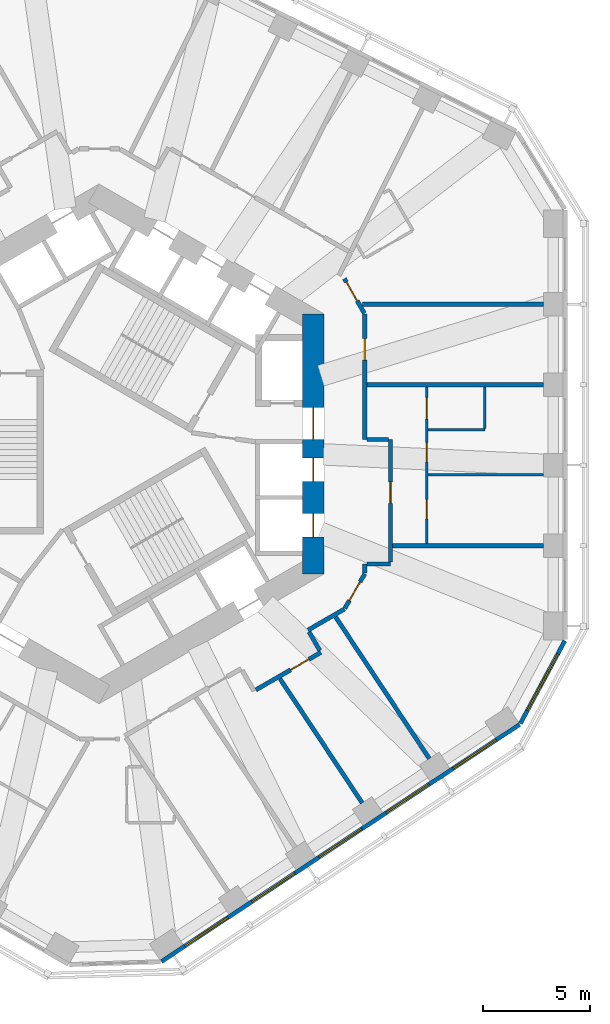
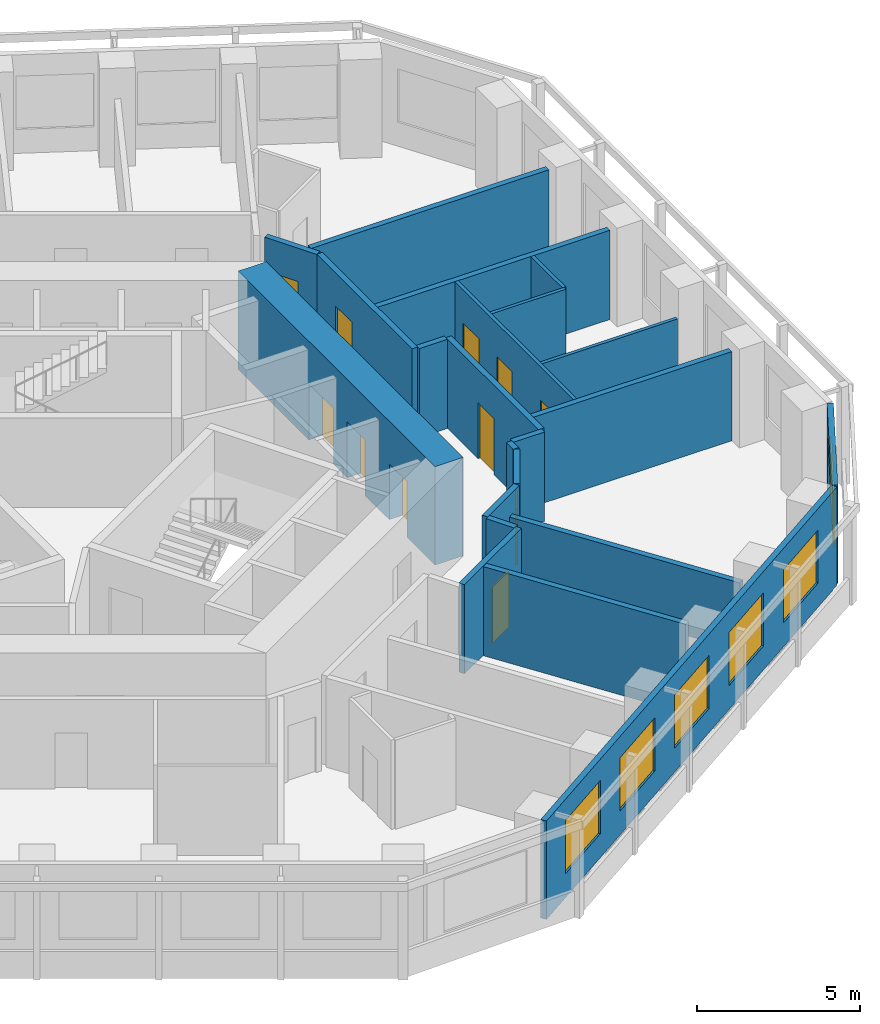
# One storey, part 6 of 11: 22 walls, 11 doors, 6 windows, 17 openings.
"""IFC4 building model written with IfcOpenShell, lengths in metres."""

import ifcopenshell
import ifcopenshell.guid

model = None  # the IFC model being written
_history = None  # IfcOwnerHistory: only IFC2X3 demands one
_inside = {}  # id of a spatial element -> (the spatial element, [elements in it])
_under = {}  # id of a project, library or spatial element -> (it, [spatial elements below it])
_declared = {}  # id of a project -> (the project, [libraries it declares])
_typed = {}  # id of a type object -> (the type object, [elements of that type])
_made_of = {}  # id of a material, layer set ... -> (it, [elements and type objects made of it])


def new_model(schema):
    """Start an empty IFC model of exactly this schema.

    Asked for "IFC4X3", IfcOpenShell would pick the latest addendum, in which some entities
    have other attributes; the version numbers below select the first issue.
    IFC2X3 requires an IfcOwnerHistory on every rooted entity: one is made here for all.
    """
    global model, _history
    if schema == "IFC4X3":
        model = ifcopenshell.file(schema_version=(4, 3, 0, 0))
    else:
        model = ifcopenshell.file(schema=schema)
    _inside.clear()
    _under.clear()
    _declared.clear()
    _typed.clear()
    _made_of.clear()
    _history = None
    if model.schema == "IFC2X3":
        org = make("IfcOrganization", Name="unknown")
        user = make(
            "IfcPersonAndOrganization",
            ThePerson=make("IfcPerson", FamilyName="unknown"),
            TheOrganization=org,
        )
        app = make(
            "IfcApplication",
            ApplicationDeveloper=org,
            Version="unknown",
            ApplicationFullName="unknown",
            ApplicationIdentifier="unknown",
        )
        _history = make(
            "IfcOwnerHistory",
            OwningUser=user,
            OwningApplication=app,
            ChangeAction="ADDED",
            CreationDate=0,
        )
    return model


def make(cls, **values):
    """One entity of the class cls with the attributes given. An attribute that is None is left unset."""
    return model.create_entity(
        cls, **{name: value for name, value in values.items() if value is not None}
    )


def rooted(cls, **values):
    """An entity with a GlobalId (a new one), such as an element, a storey or a relation."""
    return make(cls, GlobalId=ifcopenshell.guid.new(), OwnerHistory=_history, **values)


def si_unit(unit_type, name, prefix=None):
    """IfcSIUnit, for example si_unit("LENGTHUNIT", "METRE", prefix="MILLI")."""
    return make("IfcSIUnit", UnitType=unit_type, Prefix=prefix, Name=name)


def assignment(units):
    """IfcUnitAssignment: the units of a project."""
    return None if units is None else make("IfcUnitAssignment", Units=units)


def point(xyz):
    """IfcCartesianPoint."""
    return None if xyz is None else make("IfcCartesianPoint", Coordinates=xyz)


def direction(xyz):
    """IfcDirection."""
    return None if xyz is None else make("IfcDirection", DirectionRatios=xyz)


def frame(location, z_axis=None, x_axis=None):
    """IfcAxis2Placement3D, a coordinate frame: its origin and axes. An axis left out is left unset."""
    return make(
        "IfcAxis2Placement3D",
        Location=point(location),
        Axis=direction(z_axis),
        RefDirection=direction(x_axis),
    )


def frame_2d(location, x_axis=None):
    """IfcAxis2Placement2D, a coordinate frame in the plane: its origin and x axis."""
    return make(
        "IfcAxis2Placement2D", Location=point(location), RefDirection=direction(x_axis)
    )


def origin():
    """The frame at (0, 0, 0) with its axes left unset."""
    return frame((0.0, 0.0, 0.0))


def place(relative_to, where):
    """IfcLocalPlacement: puts the frame where relative to a parent placement (None: the world)."""
    return make(
        "IfcLocalPlacement", PlacementRelTo=relative_to, RelativePlacement=where
    )


def context(
    kind, dimensions, precision=None, world=None, true_north=None, identifier=None
):
    """IfcGeometricRepresentationContext, for example the 3D "Model" context."""
    return make(
        "IfcGeometricRepresentationContext",
        ContextIdentifier=identifier,
        ContextType=kind,
        CoordinateSpaceDimension=dimensions,
        Precision=precision,
        WorldCoordinateSystem=world,
        TrueNorth=true_north,
    )


def subcontext(parent, identifier, kind, view, scale=None):
    """IfcGeometricRepresentationSubContext, for example "Body" below "Model"."""
    return make(
        "IfcGeometricRepresentationSubContext",
        ContextIdentifier=identifier,
        ContextType=kind,
        ParentContext=parent,
        TargetScale=scale,
        TargetView=view,
    )


def project(units=None, contexts=None):
    """IfcProject with its units and contexts."""
    return rooted(
        "IfcProject",
        Name="project",
        RepresentationContexts=contexts,
        UnitsInContext=assignment(units),
    )


def spatial(cls, under=None, at=None, **own):
    """A site, building, storey or space (cls), placed at a placement, below another one or the project."""
    s = rooted(cls, ObjectPlacement=at, **own)
    if under is not None:
        _under.setdefault(under.id(), (under, []))[1].append(s)
    return s


def profile(cls, at=None, kind="AREA", **sizes):
    """A parametric profile (cls). Its sizes go by their IFC names, for example OverallWidth=200.0."""
    return make(cls, ProfileType=kind, Position=at, **sizes)


def rectangle(**sizes):
    """IfcRectangleProfileDef."""
    return profile("IfcRectangleProfileDef", **sizes)


def extrude(swept, where, along, depth):
    """IfcExtrudedAreaSolid: the profile swept, set in the frame where, extruded along a direction by depth."""
    return make(
        "IfcExtrudedAreaSolid",
        SweptArea=swept,
        Position=where,
        ExtrudedDirection=direction(along),
        Depth=depth,
    )


def shape(context_of_items, identifier, shape_type, items):
    """IfcShapeRepresentation: the items that make up one representation, for example the "Body"."""
    return make(
        "IfcShapeRepresentation",
        ContextOfItems=context_of_items,
        RepresentationIdentifier=identifier,
        RepresentationType=shape_type,
        Items=items,
    )


def material(Name=None, Category=None):
    """IfcMaterial."""
    return make("IfcMaterial", Name=Name, Category=Category)


def layer(
    of_material, thickness, ventilated=None, Name=None, Category=None, Priority=None
):
    """IfcMaterialLayer: one layer of a wall or slab, of a material (None: an air gap)."""
    return make(
        "IfcMaterialLayer",
        Material=of_material,
        LayerThickness=thickness,
        IsVentilated=ventilated,
        Name=Name,
        Category=Category,
        Priority=Priority,
    )


def layer_set(layers, Name=None):
    """IfcMaterialLayerSet."""
    return make("IfcMaterialLayerSet", MaterialLayers=layers, LayerSetName=Name)


def made_of(thing, what):
    """Note that an element or type object is made of a material, layer set ...; save() writes the relation."""
    if what is not None:
        _made_of.setdefault(what.id(), (what, []))[1].append(thing)
    return thing


def type_object(cls, material=None, **own):
    """A type object (cls), such as IfcWallType, which elements share."""
    return made_of(rooted(cls, **own), material)


def element(
    cls,
    number,
    at=None,
    inside=None,
    cuts=None,
    type_object=None,
    material=None,
    context=None,
    identifier="Body",
    shape_type=None,
    held_by="IfcProductDefinitionShape",
    body=None,
    shapes=None,
    **own,
):
    """One element of the class cls, such as IfcWall. Its Tag is "e" and its number.

    at: its placement. inside: the storey or other place that contains it. cuts: it is an
    opening in that element (IfcRelVoidsElement). A single representation is given by context,
    identifier, shape_type and body (its items); several are given by shapes. held_by: the class
    of the entity that holds the representations. save() writes the other relations.
    """
    e = rooted(cls, Tag="e%d" % number, ObjectPlacement=at, **own)
    if body is not None:
        shapes = [shape(context, identifier, shape_type, body)]
    if shapes is not None:
        e.Representation = make(held_by, Representations=shapes)
    if inside is not None:
        _inside.setdefault(inside.id(), (inside, []))[1].append(e)
    if cuts is not None:
        rooted(
            "IfcRelVoidsElement", RelatingBuildingElement=cuts, RelatedOpeningElement=e
        )
    if type_object is not None:
        _typed.setdefault(type_object.id(), (type_object, []))[1].append(e)
    return made_of(e, material)


def fill(opening, filler):
    """IfcRelFillsElement: the door or window that sits in an opening."""
    return rooted(
        "IfcRelFillsElement",
        RelatingOpeningElement=opening,
        RelatedBuildingElement=filler,
    )


def aggregate(whole, parts):
    """IfcRelAggregates: a whole, such as a stair, and the parts it consists of."""
    return rooted("IfcRelAggregates", RelatingObject=whole, RelatedObjects=parts)


def save(model, path):
    """Write the relations noted so far, then the file.

    IfcRelAggregates (storeys below a building ...), IfcRelContainedInSpatialStructure (elements
    in a storey), IfcRelDefinesByType, IfcRelAssociatesMaterial and IfcRelDeclares: one each for
    every whole, place, type object, material and project.
    """
    for whole, parts in _under.values():
        aggregate(whole, parts)
    for where, things in _inside.values():
        rooted(
            "IfcRelContainedInSpatialStructure",
            RelatedElements=things,
            RelatingStructure=where,
        )
    for kind, things in _typed.values():
        rooted("IfcRelDefinesByType", RelatedObjects=things, RelatingType=kind)
    for what, things in _made_of.values():
        rooted("IfcRelAssociatesMaterial", RelatedObjects=things, RelatingMaterial=what)
    for by, libraries in _declared.values():
        rooted("IfcRelDeclares", RelatingContext=by, RelatedDefinitions=libraries)
    model.write(path)


model = new_model("IFC4")

# Units and contexts
model_context = context("Model", 3, precision=1e-05, world=origin(), true_north=direction((0.0, 1.0)))
body_context = subcontext(model_context, "Body", "Model", "MODEL_VIEW")
ifc_project = project(units=[si_unit("LENGTHUNIT", "METRE"), si_unit("AREAUNIT", "SQUARE_METRE"), si_unit("VOLUMEUNIT", "CUBIC_METRE"), si_unit("PLANEANGLEUNIT", "RADIAN"), si_unit("MASSUNIT", "GRAM", prefix="KILO")], contexts=[model_context])

# Site, building, storey
site_placement = place(None, origin())
site = spatial("IfcSite", under=ifc_project, at=site_placement, CompositionType="ELEMENT")
building_placement = place(site_placement, origin())
building = spatial("IfcBuilding", under=site, at=building_placement, Name="Vanh Sen Convention Tower", CompositionType="ELEMENT")
storey_placement = place(building_placement, frame((0.0, 0.0, 135.5)))
storey = spatial("IfcBuildingStorey", under=building, at=storey_placement, Name="L33", CompositionType="ELEMENT", Elevation=135.5)

# Wall, openings, doors
ifc_material_1 = material(Name="Moisture-resistant gypsum board on steel studs", Category="steel")
ifc_layer_1 = layer(ifc_material_1, 0.1201171875)
ifc_layer_set_1 = layer_set([ifc_layer_1], Name="Moisture-resistant gypsum board on steel studs")
wall_type_1 = type_object("IfcWallType", Name="Bathroom partition 120", PredefinedType="PARTITIONING", material=ifc_layer_set_1)
wall_1_placement = place(storey_placement, frame((15.301025390625, -4.64697265625, 0.0), z_axis=(0.0, 0.0, 1.0), x_axis=(0.0, 1.0, 0.0)))
wall_1 = element("IfcWall", 1, at=wall_1_placement, inside=storey, type_object=wall_type_1, Name="Bathroom partition 120", PredefinedType="PARTITIONING", context=body_context, shape_type="SweptSolid", body=[
    extrude(rectangle(XDim=7.308349609375, YDim=0.1201171875, at=frame_2d((3.654296875, 0.0))), origin(), (0.0, 0.0, 1.0), 3.35009765625),
])
opening_1_placement = place(wall_1_placement, frame((5.80810546875, 0.0, 0.0)))
opening_1 = element("IfcOpeningElement", 2, at=opening_1_placement, cuts=wall_1, Name="Opening D32102", PredefinedType="OPENING", context=body_context, shape_type="SweptSolid", body=[
    extrude(rectangle(XDim=1.0, YDim=2.10009765625, at=frame_2d((0.5, 1.050048828125))), frame((0.0, 0.070068359375, 0.0), z_axis=(0.0, -1.0, 0.0), x_axis=(1.0, 0.0, 0.0)), (0.0, 0.0, 1.0), 0.14013671875),
])
opening_2_placement = place(wall_1_placement, frame((1.14990234375, 0.0, 0.0)))
opening_2 = element("IfcOpeningElement", 3, at=opening_2_placement, cuts=wall_1, Name="Opening D32103", PredefinedType="OPENING", context=body_context, shape_type="SweptSolid", body=[
    extrude(rectangle(XDim=0.89990234375, YDim=2.10009765625, at=frame_2d((0.449951171875, 1.050048828125))), frame((0.0, 0.070068359375, 0.0), z_axis=(0.0, -1.0, 0.0), x_axis=(1.0, 0.0, 0.0)), (0.0, 0.0, 1.0), 0.14013671875),
])
opening_3_placement = place(wall_1_placement, frame((3.80419921875, 0.0, 0.0)))
opening_3 = element("IfcOpeningElement", 4, at=opening_3_placement, cuts=wall_1, Name="Opening D32104", PredefinedType="OPENING", context=body_context, shape_type="SweptSolid", body=[
    extrude(rectangle(XDim=0.89990234375, YDim=2.10009765625, at=frame_2d((0.449951171875, 1.050048828125))), frame((0.0, 0.070068359375, 0.0), z_axis=(0.0, -1.0, 0.0), x_axis=(1.0, 0.0, 0.0)), (0.0, 0.0, 1.0), 0.14013671875),
])
ifc_material_2 = material(Name="Laminate door in steel frame", Category="steel")
door_type_1 = type_object("IfcDoorType", Name="Accessible WC door 1000", OperationType="SINGLE_SWING_LEFT", PredefinedType="DOOR", material=ifc_material_2)
door_1_placement = place(opening_1_placement, origin())
door_1 = element("IfcDoor", 5, at=door_1_placement, inside=storey, type_object=door_type_1, Name="Accessible WC door D32102", OperationType="SINGLE_SWING_LEFT", OverallHeight=2.10009765625, OverallWidth=1.0, PredefinedType="DOOR", context=body_context, shape_type="SweptSolid", body=[
    extrude(rectangle(XDim=1.0, YDim=2.10009765625, at=frame_2d((0.5, 1.050048828125))), frame((0.0, 0.02490234375, 0.0), z_axis=(0.0, -1.0, 0.0), x_axis=(1.0, 0.0, 0.0)), (0.0, 0.0, 1.0), 0.050048828125),
])
fill(opening_1, door_1)
door_type_2 = type_object("IfcDoorType", Name="Room internal door 900", OperationType="SINGLE_SWING_LEFT", PredefinedType="DOOR", material=ifc_material_2)
door_2_placement = place(opening_2_placement, origin())
door_2 = element("IfcDoor", 6, at=door_2_placement, inside=storey, type_object=door_type_2, Name="Internal room door D32103", OperationType="SINGLE_SWING_LEFT", OverallHeight=2.10009765625, OverallWidth=0.89990234375, PredefinedType="DOOR", context=body_context, shape_type="SweptSolid", body=[
    extrude(rectangle(XDim=0.89990234375, YDim=2.10009765625, at=frame_2d((0.449951171875, 1.050048828125))), frame((0.0, 0.02490234375, 0.0), z_axis=(0.0, -1.0, 0.0), x_axis=(1.0, 0.0, 0.0)), (0.0, 0.0, 1.0), 0.050048828125),
])
fill(opening_2, door_2)
door_3_placement = place(opening_3_placement, origin())
door_3 = element("IfcDoor", 7, at=door_3_placement, inside=storey, type_object=door_type_2, Name="Internal room door D32104", OperationType="SINGLE_SWING_LEFT", OverallHeight=2.10009765625, OverallWidth=0.89990234375, PredefinedType="DOOR", context=body_context, shape_type="SweptSolid", body=[
    extrude(rectangle(XDim=0.89990234375, YDim=2.10009765625, at=frame_2d((0.449951171875, 1.050048828125))), frame((0.0, 0.02490234375, 0.0), z_axis=(0.0, -1.0, 0.0), x_axis=(1.0, 0.0, 0.0)), (0.0, 0.0, 1.0), 0.050048828125),
])
fill(opening_3, door_3)

# Walls
wall_2_placement = place(storey_placement, frame((15.361083984375, 0.661376953125, 0.0), z_axis=(0.0, 0.0, 1.0), x_axis=(1.0, 0.0, 0.0)))
element("IfcWall", 8, at=wall_2_placement, inside=storey, type_object=wall_type_1, Name="Bathroom partition 120", PredefinedType="PARTITIONING", context=body_context, shape_type="SweptSolid", body=[
    extrude(rectangle(XDim=2.639892578125, YDim=0.1201171875, at=frame_2d((1.31982421875, 0.0))), origin(), (0.0, 0.0, 1.0), 3.35009765625),
])
wall_3_placement = place(storey_placement, frame((18.0009765625, 0.72119140625, 0.0), z_axis=(0.0, 0.0, 1.0), x_axis=(0.0, 1.0, 0.0)))
element("IfcWall", 9, at=wall_3_placement, inside=storey, type_object=wall_type_1, Name="Bathroom partition 120", PredefinedType="PARTITIONING", context=body_context, shape_type="SweptSolid", body=[
    extrude(rectangle(XDim=1.940185546875, YDim=0.1201171875, at=frame_2d((0.97021484375, 0.0))), origin(), (0.0, 0.0, 1.0), 3.35009765625),
])
wall_4_placement = place(storey_placement, frame((20.75, -1.447021484375, 0.0), z_axis=(0.0, 0.0, 1.0), x_axis=(-1.0, 0.0, 0.0)))
element("IfcWall", 10, at=wall_4_placement, inside=storey, type_object=wall_type_1, Name="Bathroom partition 120", PredefinedType="PARTITIONING", context=body_context, shape_type="SweptSolid", body=[
    extrude(rectangle(XDim=5.388916015625, YDim=0.1201171875, at=frame_2d((2.6943359375, 0.0))), origin(), (0.0, 0.0, 1.0), 2.550048828125),
])

# Wall, openings, doors
ifc_material_3 = material(Name="Concrete C80/95", Category="concrete")
ifc_layer_2 = layer(ifc_material_3, 1.0)
ifc_layer_set_2 = layer_set([ifc_layer_2], Name="Concrete C80/95")
wall_type_2 = type_object("IfcWallType", Name="Core outer wall 1000 C80/95", PredefinedType="SHEAR", material=ifc_layer_set_2)
wall_5_placement = place(storey_placement, frame((10.0, -6.062255859375, 0.0), z_axis=(0.0, 0.0, 1.0), x_axis=(0.0, 1.0, 0.0)))
wall_5 = element("IfcWall", 11, at=wall_5_placement, inside=storey, type_object=wall_type_2, Name="Core wall face E L33", PredefinedType="SHEAR", context=body_context, shape_type="SweptSolid", body=[
    extrude(rectangle(XDim=12.12451171875, YDim=1.0, at=frame_2d((6.062255859375, 0.0))), origin(), (0.0, 0.0, 1.0), 3.699951171875),
])
opening_4_placement = place(wall_5_placement, frame((6.26220703125, 0.0, 0.0)))
opening_4 = element("IfcOpeningElement", 12, at=opening_4_placement, cuts=wall_5, Name="Opening D32001", PredefinedType="OPENING", context=body_context, shape_type="SweptSolid", body=[
    extrude(rectangle(XDim=1.5, YDim=2.10009765625, at=frame_2d((0.75, 1.050048828125))), frame((0.0, 0.510009765625, 0.0), z_axis=(0.0, -1.0, 0.0), x_axis=(1.0, 0.0, 0.0)), (0.0, 0.0, 1.0), 1.02001953125),
])
opening_5_placement = place(wall_5_placement, frame((1.712158203125, 0.0, 0.0)))
opening_5 = element("IfcOpeningElement", 13, at=opening_5_placement, cuts=wall_5, Name="Opening LD-LR1", PredefinedType="OPENING", context=body_context, shape_type="SweptSolid", body=[
    extrude(rectangle(XDim=1.10009765625, YDim=2.10009765625, at=frame_2d((0.550048828125, 1.050048828125))), frame((0.0, 0.510009765625, 0.0), z_axis=(0.0, -1.0, 0.0), x_axis=(1.0, 0.0, 0.0)), (0.0, 0.0, 1.0), 1.02001953125),
])
opening_6_placement = place(wall_5_placement, frame((4.312255859375, 0.0, 0.0)))
opening_6 = element("IfcOpeningElement", 14, at=opening_6_placement, cuts=wall_5, Name="Opening LD-LR2", PredefinedType="OPENING", context=body_context, shape_type="SweptSolid", body=[
    extrude(rectangle(XDim=1.10009765625, YDim=2.10009765625, at=frame_2d((0.550048828125, 1.050048828125))), frame((0.0, 0.510009765625, 0.0), z_axis=(0.0, -1.0, 0.0), x_axis=(1.0, 0.0, 0.0)), (0.0, 0.0, 1.0), 1.02001953125),
])
ifc_material_4 = material(Name="Stainless steel", Category="steel")
door_type_3 = type_object("IfcDoorType", Name="Lift landing door 1100", OperationType="DOUBLE_DOOR_SLIDING", PredefinedType="DOOR", material=ifc_material_4)
door_4_placement = place(opening_5_placement, origin())
door_4 = element("IfcDoor", 15, at=door_4_placement, inside=storey, type_object=door_type_3, Name="Lift LR1 landing door LD-LR1", OperationType="DOUBLE_DOOR_SLIDING", OverallHeight=2.10009765625, OverallWidth=1.10009765625, PredefinedType="DOOR", context=body_context, shape_type="SweptSolid", body=[
    extrude(rectangle(XDim=1.10009765625, YDim=2.10009765625, at=frame_2d((0.550048828125, 1.050048828125))), frame((0.0, 0.02490234375, 0.0), z_axis=(0.0, -1.0, 0.0), x_axis=(1.0, 0.0, 0.0)), (0.0, 0.0, 1.0), 0.050048828125),
])
fill(opening_5, door_4)
door_5_placement = place(opening_6_placement, origin())
door_5 = element("IfcDoor", 16, at=door_5_placement, inside=storey, type_object=door_type_3, Name="Lift LR2 landing door LD-LR2", OperationType="DOUBLE_DOOR_SLIDING", OverallHeight=2.10009765625, OverallWidth=1.10009765625, PredefinedType="DOOR", context=body_context, shape_type="SweptSolid", body=[
    extrude(rectangle(XDim=1.10009765625, YDim=2.10009765625, at=frame_2d((0.550048828125, 1.050048828125))), frame((0.0, 0.02490234375, 0.0), z_axis=(0.0, -1.0, 0.0), x_axis=(1.0, 0.0, 0.0)), (0.0, 0.0, 1.0), 0.050048828125),
])
fill(opening_6, door_5)
ifc_material_5 = material(Name="Steel S355", Category="steel")
door_type_4 = type_object("IfcDoorType", Name="Stair lobby door 1500", OperationType="DOUBLE_DOOR_SINGLE_SWING", PredefinedType="DOOR", material=ifc_material_5)
door_6_placement = place(opening_4_placement, origin())
door_6 = element("IfcDoor", 17, at=door_6_placement, inside=storey, type_object=door_type_4, Name="Stair lobby door D32001", OperationType="DOUBLE_DOOR_SINGLE_SWING", OverallHeight=2.10009765625, OverallWidth=1.5, PredefinedType="DOOR", context=body_context, shape_type="SweptSolid", body=[
    extrude(rectangle(XDim=1.5, YDim=2.10009765625, at=frame_2d((0.75, 1.050048828125))), frame((0.0, 0.02490234375, 0.0), z_axis=(0.0, -1.0, 0.0), x_axis=(1.0, 0.0, 0.0)), (0.0, 0.0, 1.0), 0.050048828125),
])
fill(opening_4, door_6)

# Wall, opening, door
ifc_material_6 = material(Name="Gypsum board on steel studs with mineral wool", Category="steel")
ifc_layer_3 = layer(ifc_material_6, 0.199951171875)
ifc_layer_set_3 = layer_set([ifc_layer_3], Name="Gypsum board on steel studs with mineral wool")
wall_type_3 = type_object("IfcWallType", Name="Corridor partition wall 200", PredefinedType="PARTITIONING", material=ifc_layer_set_3)
wall_6_placement = place(storey_placement, frame((7.319091796875, -11.479248046875, 0.0), z_axis=(0.0, 0.0, 1.0), x_axis=(0.866038154057, 0.49997791523, 0.0)))
wall_6 = element("IfcWall", 18, at=wall_6_placement, inside=storey, type_object=wall_type_3, Name="Corridor partition wall 200", PredefinedType="PARTITIONING", context=body_context, shape_type="SweptSolid", body=[
    extrude(rectangle(XDim=3.502197265625, YDim=0.199951171875, at=frame_2d((1.7509765625, 0.0))), origin(), (0.0, 0.0, 1.0), 3.35009765625),
])
opening_7_placement = place(wall_6_placement, frame((1.86474609375, 0.0, 0.0)))
opening_7 = element("IfcOpeningElement", 19, at=opening_7_placement, cuts=wall_6, Name="Opening D32129", PredefinedType="OPENING", context=body_context, shape_type="SweptSolid", body=[
    extrude(rectangle(XDim=1.0, YDim=2.10009765625, at=frame_2d((0.5, 1.050048828125))), frame((0.0, 0.10986328125, 0.0), z_axis=(0.0, -1.0, 0.0), x_axis=(1.0, 0.0, 0.0)), (0.0, 0.0, 1.0), 0.219970703125),
])
ifc_material_7 = material(Name="Glazed fire door in steel frame", Category="steel")
door_type_5 = type_object("IfcDoorType", Name="Tenant entrance door 1000", OperationType="SINGLE_SWING_LEFT", PredefinedType="DOOR", material=ifc_material_7)
door_7_placement = place(opening_7_placement, origin())
door_7 = element("IfcDoor", 20, at=door_7_placement, inside=storey, type_object=door_type_5, Name="Tenant suite entrance door D32129", OperationType="SINGLE_SWING_LEFT", OverallHeight=2.10009765625, OverallWidth=1.0, PredefinedType="DOOR", context=body_context, shape_type="SweptSolid", body=[
    extrude(rectangle(XDim=1.0, YDim=2.10009765625, at=frame_2d((0.5, 1.050048828125))), frame((0.0, 0.02490234375, 0.0), z_axis=(0.0, -1.0, 0.0), x_axis=(1.0, 0.0, 0.0)), (0.0, 0.0, 1.0), 0.050048828125),
])
fill(opening_7, door_7)

# Walls
wall_7_placement = place(storey_placement, frame((9.751708984375, -8.688232421875, 0.0), z_axis=(0.0, 0.0, 1.0), x_axis=(0.865974105138, 0.500088841337, 0.0)))
element("IfcWall", 21, at=wall_7_placement, inside=storey, type_object=wall_type_3, Name="Corridor partition wall 200", PredefinedType="PARTITIONING", context=body_context, shape_type="SweptSolid", body=[
    extrude(rectangle(XDim=1.961181640625, YDim=0.199951171875, at=frame_2d((0.98046875, 0.0))), origin(), (0.0, 0.0, 1.0), 3.35009765625),
])
wall_8_placement = place(storey_placement, frame((10.302001953125, -9.6416015625, 0.0), z_axis=(0.0, 0.0, 1.0), x_axis=(-0.500074377092, 0.865982457891, 0.0)))
element("IfcWall", 22, at=wall_8_placement, inside=storey, type_object=wall_type_3, Name="Corridor partition wall 200", PredefinedType="PARTITIONING", context=body_context, shape_type="SweptSolid", body=[
    extrude(rectangle(XDim=1.000732421875, YDim=0.199951171875, at=frame_2d((0.50048828125, 0.0))), origin(), (0.0, 0.0, 1.0), 3.35009765625),
])

# Wall, opening, door
wall_9_placement = place(storey_placement, frame((11.469970703125, -7.673095703125, 0.0), z_axis=(0.0, 0.0, 1.0), x_axis=(0.499964847546, 0.866045698112, 0.0)))
wall_9 = element("IfcWall", 23, at=wall_9_placement, inside=storey, type_object=wall_type_3, Name="Corridor partition wall 200", PredefinedType="PARTITIONING", context=body_context, shape_type="SweptSolid", body=[
    extrude(rectangle(XDim=1.860107421875, YDim=0.199951171875, at=frame_2d((0.93017578125, 0.0))), origin(), (0.0, 0.0, 1.0), 3.35009765625),
])
opening_8_placement = place(wall_9_placement, frame((0.429931640625, 0.0, 0.0)))
opening_8 = element("IfcOpeningElement", 24, at=opening_8_placement, cuts=wall_9, Name="Opening D32130", PredefinedType="OPENING", context=body_context, shape_type="SweptSolid", body=[
    extrude(rectangle(XDim=1.0, YDim=2.10009765625, at=frame_2d((0.5, 1.050048828125))), frame((0.0, 0.10986328125, 0.0), z_axis=(0.0, -1.0, 0.0), x_axis=(1.0, 0.0, 0.0)), (0.0, 0.0, 1.0), 0.219970703125),
])
door_8_placement = place(opening_8_placement, origin())
door_8 = element("IfcDoor", 25, at=door_8_placement, inside=storey, type_object=door_type_5, Name="Tenant suite entrance door D32130", OperationType="SINGLE_SWING_LEFT", OverallHeight=2.10009765625, OverallWidth=1.0, PredefinedType="DOOR", context=body_context, shape_type="SweptSolid", body=[
    extrude(rectangle(XDim=1.0, YDim=2.10009765625, at=frame_2d((0.5, 1.050048828125))), frame((0.0, 0.02490234375, 0.0), z_axis=(0.0, -1.0, 0.0), x_axis=(1.0, 0.0, 0.0)), (0.0, 0.0, 1.0), 0.050048828125),
])
fill(opening_8, door_8)

wall_10_placement = place(storey_placement, frame((12.3798828125, 6.0966796875, 0.0), z_axis=(0.0, 0.0, 1.0), x_axis=(-0.499964847546, 0.866045698112, 0.0)))
wall_10 = element("IfcWall", 26, at=wall_10_placement, inside=storey, type_object=wall_type_3, Name="Corridor partition wall 200", PredefinedType="PARTITIONING", context=body_context, shape_type="SweptSolid", body=[
    extrude(rectangle(XDim=1.860107421875, YDim=0.199951171875, at=frame_2d((0.93017578125, 0.0))), origin(), (0.0, 0.0, 1.0), 3.35009765625),
])
opening_9_placement = place(wall_10_placement, frame((0.671630859375, 0.0, 0.0)))
opening_9 = element("IfcOpeningElement", 27, at=opening_9_placement, cuts=wall_10, Name="Opening D32106", PredefinedType="OPENING", context=body_context, shape_type="SweptSolid", body=[
    extrude(rectangle(XDim=1.0, YDim=2.10009765625, at=frame_2d((0.5, 1.050048828125))), frame((0.0, 0.10986328125, 0.0), z_axis=(0.0, -1.0, 0.0), x_axis=(1.0, 0.0, 0.0)), (0.0, 0.0, 1.0), 0.219970703125),
])
door_9_placement = place(opening_9_placement, origin())
door_9 = element("IfcDoor", 28, at=door_9_placement, inside=storey, type_object=door_type_5, Name="Tenant suite entrance door D32106", OperationType="SINGLE_SWING_LEFT", OverallHeight=2.10009765625, OverallWidth=1.0, PredefinedType="DOOR", context=body_context, shape_type="SweptSolid", body=[
    extrude(rectangle(XDim=1.0, YDim=2.10009765625, at=frame_2d((0.5, 1.050048828125))), frame((0.0, 0.02490234375, 0.0), z_axis=(0.0, -1.0, 0.0), x_axis=(1.0, 0.0, 0.0)), (0.0, 0.0, 1.0), 0.050048828125),
])
fill(opening_9, door_9)

# Wall
wall_11_placement = place(storey_placement, frame((12.39990234375, -6.022216796875, 0.0), z_axis=(0.0, 0.0, 1.0), x_axis=(0.0, 1.0, 0.0)))
element("IfcWall", 29, at=wall_11_placement, inside=storey, type_object=wall_type_3, Name="Corridor partition wall 200", PredefinedType="PARTITIONING", context=body_context, shape_type="SweptSolid", body=[
    extrude(rectangle(XDim=0.421142578125, YDim=0.199951171875, at=frame_2d((0.21044921875, 0.0))), origin(), (0.0, 0.0, 1.0), 3.35009765625),
])

# Wall, opening, door
wall_12_placement = place(storey_placement, frame((12.39990234375, 0.200927734375, 0.0), z_axis=(0.0, 0.0, 1.0), x_axis=(0.0, 1.0, 0.0)))
wall_12 = element("IfcWall", 30, at=wall_12_placement, inside=storey, type_object=wall_type_3, Name="Corridor partition wall 200", PredefinedType="PARTITIONING", context=body_context, shape_type="SweptSolid", body=[
    extrude(rectangle(XDim=5.861328125, YDim=0.199951171875, at=frame_2d((2.9306640625, 0.0))), origin(), (0.0, 0.0, 1.0), 3.35009765625),
])
opening_10_placement = place(wall_12_placement, frame((3.710693359375, 0.0, 0.0)))
opening_10 = element("IfcOpeningElement", 31, at=opening_10_placement, cuts=wall_12, Name="Opening D32105", PredefinedType="OPENING", context=body_context, shape_type="SweptSolid", body=[
    extrude(rectangle(XDim=1.0, YDim=2.10009765625, at=frame_2d((0.5, 1.050048828125))), frame((0.0, 0.10986328125, 0.0), z_axis=(0.0, -1.0, 0.0), x_axis=(1.0, 0.0, 0.0)), (0.0, 0.0, 1.0), 0.219970703125),
])
door_10_placement = place(opening_10_placement, origin())
door_10 = element("IfcDoor", 32, at=door_10_placement, inside=storey, type_object=door_type_5, Name="Tenant suite entrance door D32105", OperationType="SINGLE_SWING_LEFT", OverallHeight=2.10009765625, OverallWidth=1.0, PredefinedType="DOOR", context=body_context, shape_type="SweptSolid", body=[
    extrude(rectangle(XDim=1.0, YDim=2.10009765625, at=frame_2d((0.5, 1.050048828125))), frame((0.0, 0.02490234375, 0.0), z_axis=(0.0, -1.0, 0.0), x_axis=(1.0, 0.0, 0.0)), (0.0, 0.0, 1.0), 0.050048828125),
])
fill(opening_10, door_10)

# Walls
wall_13_placement = place(storey_placement, frame((12.5, -5.60107421875, 0.0), z_axis=(0.0, 0.0, 1.0), x_axis=(1.0, 0.0, 0.0)))
element("IfcWall", 33, at=wall_13_placement, inside=storey, type_object=wall_type_3, Name="Corridor partition wall 200", PredefinedType="PARTITIONING", context=body_context, shape_type="SweptSolid", body=[
    extrude(rectangle(XDim=1.10107421875, YDim=0.199951171875, at=frame_2d((0.550537109375, 0.0))), origin(), (0.0, 0.0, 1.0), 3.35009765625),
])
wall_14_placement = place(storey_placement, frame((13.5009765625, 0.200927734375, 0.0), z_axis=(0.0, 0.0, 1.0), x_axis=(-1.0, 0.0, 0.0)))
element("IfcWall", 34, at=wall_14_placement, inside=storey, type_object=wall_type_3, Name="Corridor partition wall 200", PredefinedType="PARTITIONING", context=body_context, shape_type="SweptSolid", body=[
    extrude(rectangle(XDim=1.0009765625, YDim=0.199951171875, at=frame_2d((0.50048828125, 0.0))), origin(), (0.0, 0.0, 1.0), 3.35009765625),
])

# Wall, opening, door
wall_15_placement = place(storey_placement, frame((13.60107421875, -5.5009765625, 0.0), z_axis=(0.0, 0.0, 1.0), x_axis=(0.0, 1.0, 0.0)))
wall_15 = element("IfcWall", 35, at=wall_15_placement, inside=storey, type_object=wall_type_3, Name="Corridor partition wall 200", PredefinedType="PARTITIONING", context=body_context, shape_type="SweptSolid", body=[
    extrude(rectangle(XDim=5.701904296875, YDim=0.199951171875, at=frame_2d((2.85107421875, 0.0))), origin(), (0.0, 0.0, 1.0), 3.35009765625),
])
opening_11_placement = place(wall_15_placement, frame((2.72802734375, 0.0, 0.0)))
opening_11 = element("IfcOpeningElement", 36, at=opening_11_placement, cuts=wall_15, Name="Opening D32101", PredefinedType="OPENING", context=body_context, shape_type="SweptSolid", body=[
    extrude(rectangle(XDim=1.0, YDim=2.10009765625, at=frame_2d((0.5, 1.050048828125))), frame((0.0, 0.10986328125, 0.0), z_axis=(0.0, -1.0, 0.0), x_axis=(1.0, 0.0, 0.0)), (0.0, 0.0, 1.0), 0.219970703125),
])
ifc_material_8 = material(Name="Timber fire door in steel frame", Category="steel")
door_type_6 = type_object("IfcDoorType", Name="Floor room door 1000", OperationType="SINGLE_SWING_LEFT", PredefinedType="DOOR", material=ifc_material_8)
door_11_placement = place(opening_11_placement, origin())
door_11 = element("IfcDoor", 37, at=door_11_placement, inside=storey, type_object=door_type_6, Name="Meeting and amenity room door D32101", OperationType="SINGLE_SWING_LEFT", OverallHeight=2.10009765625, OverallWidth=1.0, PredefinedType="DOOR", context=body_context, shape_type="SweptSolid", body=[
    extrude(rectangle(XDim=1.0, YDim=2.10009765625, at=frame_2d((0.5, 1.050048828125))), frame((0.0, 0.02490234375, 0.0), z_axis=(0.0, -1.0, 0.0), x_axis=(1.0, 0.0, 0.0)), (0.0, 0.0, 1.0), 0.050048828125),
])
fill(opening_11, door_11)

# Wall, openings, windows
ifc_material_9 = material(Name="Insulated lightweight infill wall")
ifc_layer_4 = layer(ifc_material_9, 0.199951171875)
ifc_layer_set_4 = layer_set([ifc_layer_4], Name="Insulated lightweight infill wall")
wall_type_4 = type_object("IfcWallType", Name="External wall 200", PredefinedType="STANDARD", material=ifc_layer_set_4)
wall_16_placement = place(storey_placement, frame((2.910888671875, -24.156005859375, 0.0), z_axis=(0.0, 0.0, 1.0), x_axis=(0.833882163564, 0.551942512668, 0.0)))
wall_16 = element("IfcWall", 38, at=wall_16_placement, inside=storey, type_object=wall_type_4, Name="External wall SE L33", PredefinedType="STANDARD", context=body_context, shape_type="SweptSolid", body=[
    extrude(rectangle(XDim=20.043701171875, YDim=0.199951171875, at=frame_2d((10.02197265625, 0.0))), origin(), (0.0, 0.0, 1.0), 3.699951171875),
])
opening_12_placement = place(wall_16_placement, frame((1.312744140625, 0.0, 0.89990234375)))
opening_12 = element("IfcOpeningElement", 39, at=opening_12_placement, cuts=wall_16, Name="Opening WO1-SE1", PredefinedType="OPENING", context=body_context, shape_type="SweptSolid", body=[
    extrude(rectangle(XDim=2.39990234375, YDim=2.0, at=frame_2d((1.199951171875, 1.0))), frame((0.0, 0.10986328125, 0.0), z_axis=(0.0, -1.0, 0.0), x_axis=(1.0, 0.0, 0.0)), (0.0, 0.0, 1.0), 0.219970703125),
])
opening_13_placement = place(wall_16_placement, frame((5.06689453125, 0.0, 0.89990234375)))
opening_13 = element("IfcOpeningElement", 40, at=opening_13_placement, cuts=wall_16, Name="Opening WO1-SE2", PredefinedType="OPENING", context=body_context, shape_type="SweptSolid", body=[
    extrude(rectangle(XDim=2.39990234375, YDim=2.0, at=frame_2d((1.199951171875, 1.0))), frame((0.0, 0.10986328125, 0.0), z_axis=(0.0, -1.0, 0.0), x_axis=(1.0, 0.0, 0.0)), (0.0, 0.0, 1.0), 0.219970703125),
])
opening_14_placement = place(wall_16_placement, frame((8.82080078125, 0.0, 0.89990234375)))
opening_14 = element("IfcOpeningElement", 41, at=opening_14_placement, cuts=wall_16, Name="Opening WO1-SE3", PredefinedType="OPENING", context=body_context, shape_type="SweptSolid", body=[
    extrude(rectangle(XDim=2.39990234375, YDim=2.0, at=frame_2d((1.199951171875, 1.0))), frame((0.0, 0.10986328125, 0.0), z_axis=(0.0, -1.0, 0.0), x_axis=(1.0, 0.0, 0.0)), (0.0, 0.0, 1.0), 0.219970703125),
])
opening_15_placement = place(wall_16_placement, frame((12.5751953125, 0.0, 0.89990234375)))
opening_15 = element("IfcOpeningElement", 42, at=opening_15_placement, cuts=wall_16, Name="Opening WO1-SE4", PredefinedType="OPENING", context=body_context, shape_type="SweptSolid", body=[
    extrude(rectangle(XDim=2.39990234375, YDim=2.0, at=frame_2d((1.199951171875, 1.0))), frame((0.0, 0.10986328125, 0.0), z_axis=(0.0, -1.0, 0.0), x_axis=(1.0, 0.0, 0.0)), (0.0, 0.0, 1.0), 0.219970703125),
])
opening_16_placement = place(wall_16_placement, frame((16.3291015625, 0.0, 0.89990234375)))
opening_16 = element("IfcOpeningElement", 43, at=opening_16_placement, cuts=wall_16, Name="Opening WO1-SE5", PredefinedType="OPENING", context=body_context, shape_type="SweptSolid", body=[
    extrude(rectangle(XDim=2.39990234375, YDim=2.0, at=frame_2d((1.199951171875, 1.0))), frame((0.0, 0.10986328125, 0.0), z_axis=(0.0, -1.0, 0.0), x_axis=(1.0, 0.0, 0.0)), (0.0, 0.0, 1.0), 0.219970703125),
])
ifc_material_10 = material(Name="Aluminium frame with clear low-emissivity glass", Category="aluminium")
window_type_1 = type_object("IfcWindowType", Name="Office window 2400 x 2000", PartitioningType="SINGLE_PANEL", PredefinedType="WINDOW", material=ifc_material_10)
window_1_placement = place(opening_12_placement, origin())
window_1 = element("IfcWindow", 44, at=window_1_placement, inside=storey, type_object=window_type_1, Name="Window WO1-SE1", OverallHeight=2.0, OverallWidth=2.39990234375, PartitioningType="SINGLE_PANEL", PredefinedType="WINDOW", context=body_context, shape_type="SweptSolid", body=[
    extrude(rectangle(XDim=2.39990234375, YDim=2.0, at=frame_2d((1.199951171875, 1.0))), frame((0.0, 0.030029296875, 0.0), z_axis=(0.0, -1.0, 0.0), x_axis=(1.0, 0.0, 0.0)), (0.0, 0.0, 1.0), 0.06005859375),
])
fill(opening_12, window_1)
window_2_placement = place(opening_13_placement, origin())
window_2 = element("IfcWindow", 45, at=window_2_placement, inside=storey, type_object=window_type_1, Name="Window WO1-SE2", OverallHeight=2.0, OverallWidth=2.39990234375, PartitioningType="SINGLE_PANEL", PredefinedType="WINDOW", context=body_context, shape_type="SweptSolid", body=[
    extrude(rectangle(XDim=2.39990234375, YDim=2.0, at=frame_2d((1.199951171875, 1.0))), frame((0.0, 0.030029296875, 0.0), z_axis=(0.0, -1.0, 0.0), x_axis=(1.0, 0.0, 0.0)), (0.0, 0.0, 1.0), 0.06005859375),
])
fill(opening_13, window_2)
window_3_placement = place(opening_14_placement, origin())
window_3 = element("IfcWindow", 46, at=window_3_placement, inside=storey, type_object=window_type_1, Name="Window WO1-SE3", OverallHeight=2.0, OverallWidth=2.39990234375, PartitioningType="SINGLE_PANEL", PredefinedType="WINDOW", context=body_context, shape_type="SweptSolid", body=[
    extrude(rectangle(XDim=2.39990234375, YDim=2.0, at=frame_2d((1.199951171875, 1.0))), frame((0.0, 0.030029296875, 0.0), z_axis=(0.0, -1.0, 0.0), x_axis=(1.0, 0.0, 0.0)), (0.0, 0.0, 1.0), 0.06005859375),
])
fill(opening_14, window_3)
window_4_placement = place(opening_15_placement, origin())
window_4 = element("IfcWindow", 47, at=window_4_placement, inside=storey, type_object=window_type_1, Name="Window WO1-SE4", OverallHeight=2.0, OverallWidth=2.39990234375, PartitioningType="SINGLE_PANEL", PredefinedType="WINDOW", context=body_context, shape_type="SweptSolid", body=[
    extrude(rectangle(XDim=2.39990234375, YDim=2.0, at=frame_2d((1.199951171875, 1.0))), frame((0.0, 0.030029296875, 0.0), z_axis=(0.0, -1.0, 0.0), x_axis=(1.0, 0.0, 0.0)), (0.0, 0.0, 1.0), 0.06005859375),
])
fill(opening_15, window_4)
window_5_placement = place(opening_16_placement, origin())
window_5 = element("IfcWindow", 48, at=window_5_placement, inside=storey, type_object=window_type_1, Name="Window WO1-SE5", OverallHeight=2.0, OverallWidth=2.39990234375, PartitioningType="SINGLE_PANEL", PredefinedType="WINDOW", context=body_context, shape_type="SweptSolid", body=[
    extrude(rectangle(XDim=2.39990234375, YDim=2.0, at=frame_2d((1.199951171875, 1.0))), frame((0.0, 0.030029296875, 0.0), z_axis=(0.0, -1.0, 0.0), x_axis=(1.0, 0.0, 0.0)), (0.0, 0.0, 1.0), 0.06005859375),
])
fill(opening_16, window_5)

# Wall, opening, window
wall_17_placement = place(storey_placement, frame((19.657958984375, -13.05712890625, 0.0), z_axis=(0.0, 0.0, 1.0), x_axis=(0.473307879841, 0.880897071672, 0.0)))
wall_17 = element("IfcWall", 49, at=wall_17_placement, inside=storey, type_object=wall_type_4, Name="External wall CH6 L33", PredefinedType="STANDARD", context=body_context, shape_type="SweptSolid", body=[
    extrude(rectangle(XDim=4.394775390625, YDim=0.199951171875, at=frame_2d((2.197265625, 0.0))), origin(), (0.0, 0.0, 1.0), 3.699951171875),
])
opening_17_placement = place(wall_17_placement, frame((0.697509765625, 0.0, 0.89990234375)))
opening_17 = element("IfcOpeningElement", 50, at=opening_17_placement, cuts=wall_17, Name="Opening WO2-CH61", PredefinedType="OPENING", context=body_context, shape_type="SweptSolid", body=[
    extrude(rectangle(XDim=3.0, YDim=2.0, at=frame_2d((1.5, 1.0))), frame((0.0, 0.10986328125, 0.0), z_axis=(0.0, -1.0, 0.0), x_axis=(1.0, 0.0, 0.0)), (0.0, 0.0, 1.0), 0.219970703125),
])
window_type_2 = type_object("IfcWindowType", Name="Office window 3000 x 2000", PartitioningType="SINGLE_PANEL", PredefinedType="WINDOW", material=ifc_material_10)
window_6_placement = place(opening_17_placement, origin())
window_6 = element("IfcWindow", 51, at=window_6_placement, inside=storey, type_object=window_type_2, Name="Window WO2-CH61", OverallHeight=2.0, OverallWidth=3.0, PartitioningType="SINGLE_PANEL", PredefinedType="WINDOW", context=body_context, shape_type="SweptSolid", body=[
    extrude(rectangle(XDim=3.0, YDim=2.0, at=frame_2d((1.5, 1.0))), frame((0.0, 0.030029296875, 0.0), z_axis=(0.0, -1.0, 0.0), x_axis=(1.0, 0.0, 0.0)), (0.0, 0.0, 1.0), 0.06005859375),
])
fill(opening_17, window_6)

# Walls
ifc_layer_5 = layer(ifc_material_6, 0.199951171875)
ifc_layer_set_5 = layer_set([ifc_layer_5], Name="Gypsum board on steel studs with mineral wool")
wall_type_5 = type_object("IfcWallType", Name="Tenant suite wall 200", PredefinedType="PARTITIONING", material=ifc_layer_set_5)
wall_18_placement = place(storey_placement, frame((12.280517578125, -16.755126953125, 0.0), z_axis=(0.0, 0.0, 1.0), x_axis=(-0.551925794663, 0.833893228888, 0.0)))
element("IfcWall", 52, at=wall_18_placement, inside=storey, type_object=wall_type_5, Name="Tenant suite wall 200", PredefinedType="PARTITIONING", context=body_context, shape_type="SweptSolid", body=[
    extrude(rectangle(XDim=6.95263671875, YDim=0.199951171875, at=frame_2d((3.476318359375, 0.0))), origin(), (0.0, 0.0, 1.0), 3.35009765625),
])
wall_19_placement = place(storey_placement, frame((13.700927734375, -4.746826171875, 0.0), z_axis=(0.0, 0.0, 1.0), x_axis=(1.0, 0.0, 0.0)))
element("IfcWall", 53, at=wall_19_placement, inside=storey, type_object=wall_type_5, Name="Tenant suite wall 200", PredefinedType="PARTITIONING", context=body_context, shape_type="SweptSolid", body=[
    extrude(rectangle(XDim=7.049072265625, YDim=0.199951171875, at=frame_2d((3.5244140625, 0.0))), origin(), (0.0, 0.0, 1.0), 3.35009765625),
])
wall_20_placement = place(storey_placement, frame((15.410888671875, -14.68310546875, 0.0), z_axis=(0.0, 0.0, 1.0), x_axis=(-0.551932106251, 0.833889051427, 0.0)))
element("IfcWall", 54, at=wall_20_placement, inside=storey, type_object=wall_type_5, Name="Tenant suite wall 200", PredefinedType="PARTITIONING", context=body_context, shape_type="SweptSolid", body=[
    extrude(rectangle(XDim=7.92626953125, YDim=0.199951171875, at=frame_2d((3.963134765625, 0.0))), origin(), (0.0, 0.0, 1.0), 2.550048828125),
])
wall_21_placement = place(storey_placement, frame((20.75, 2.76123046875, 0.0), z_axis=(0.0, 0.0, 1.0), x_axis=(-1.0, 0.0, 0.0)))
element("IfcWall", 55, at=wall_21_placement, inside=storey, type_object=wall_type_5, Name="Tenant suite wall 200", PredefinedType="PARTITIONING", context=body_context, shape_type="SweptSolid", body=[
    extrude(rectangle(XDim=8.25, YDim=0.199951171875, at=frame_2d((4.125, 0.0))), origin(), (0.0, 0.0, 1.0), 3.35009765625),
])
wall_22_placement = place(storey_placement, frame((20.75, 6.515380859375, 0.0), z_axis=(0.0, 0.0, 1.0), x_axis=(-1.0, 0.0, 0.0)))
element("IfcWall", 56, at=wall_22_placement, inside=storey, type_object=wall_type_5, Name="Tenant suite wall 200", PredefinedType="PARTITIONING", context=body_context, shape_type="SweptSolid", body=[
    extrude(rectangle(XDim=8.45166015625, YDim=0.199951171875, at=frame_2d((4.225830078125, 0.0))), origin(), (0.0, 0.0, 1.0), 3.35009765625),
])

save(model, "model.ifc")
